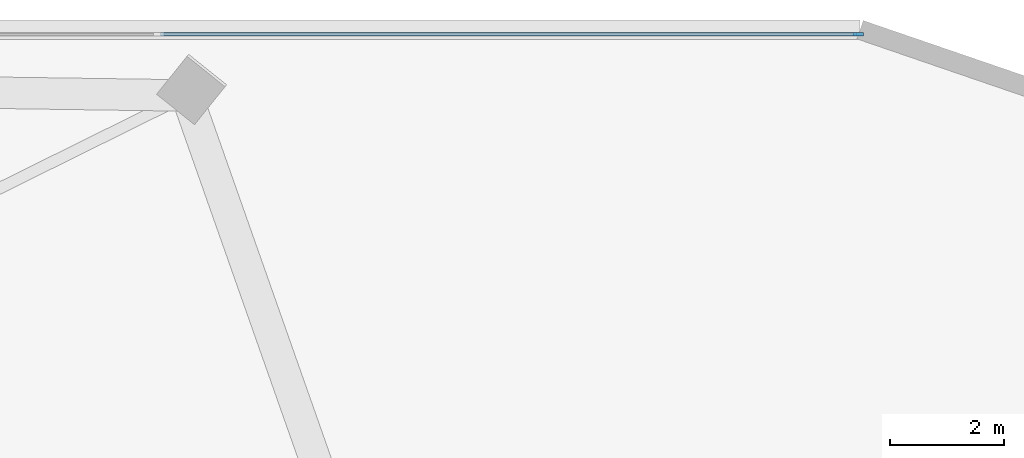
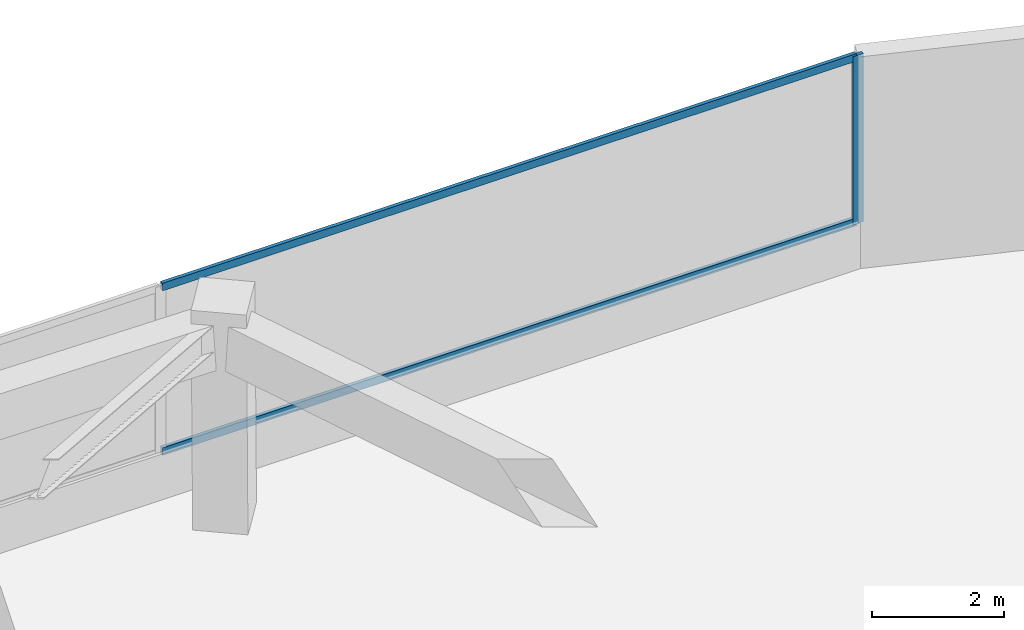
# One storey, part 9 of 14: 3 members, 1 element without a shape of its own.
"""IFC4 building model written with IfcOpenShell, lengths in metres."""

from ifc_helpers import new_model, si_unit, direction, frame, origin, origin_2d, place, context, subcontext, project, spatial, rectangle, extrude, material, layer, layer_set, material_profile, profile_set, type_object, element, aggregate, save


model = new_model("IFC4")

# Units and contexts
model_context = context("Model", 3, precision=1e-05, world=origin(), true_north=direction((0.0, 1.0)))
body_context = subcontext(model_context, "Body", "Model", "MODEL_VIEW")
ifc_project = project(units=[si_unit("LENGTHUNIT", "METRE"), si_unit("AREAUNIT", "SQUARE_METRE"), si_unit("VOLUMEUNIT", "CUBIC_METRE"), si_unit("PLANEANGLEUNIT", "RADIAN"), si_unit("MASSUNIT", "GRAM", prefix="KILO")], contexts=[model_context])

# Site, building, storey
site_placement = place(None, origin())
site = spatial("IfcSite", under=ifc_project, at=site_placement, CompositionType="ELEMENT")
building_placement = place(site_placement, origin())
building = spatial("IfcBuilding", under=site, at=building_placement, Name="Talyreon Biosciences Tower", CompositionType="ELEMENT")
storey_placement = place(building_placement, frame((0.0, 0.0, 123.0)))
storey = spatial("IfcBuildingStorey", under=building, at=storey_placement, Name="L32", CompositionType="ELEMENT", Elevation=123.0)

# Curtain wall, members
ifc_material_1 = material(Name="Thermally broken aluminium and low-E glazing", Category="aluminium")
ifc_layer = layer(ifc_material_1, 0.18994140625)
ifc_layer_set = layer_set([ifc_layer], Name="Thermally broken aluminium and low-E glazing")
curtain_wall_type = type_object("IfcCurtainWallType", Name="CurtainWall_Zone2Genomics", PredefinedType="NOTDEFINED", material=ifc_layer_set)
curtain_wall_placement = place(storey_placement, origin())
curtain_wall = element("IfcCurtainWall", 1, at=curtain_wall_placement, inside=storey, type_object=curtain_wall_type, Name="L32 Unitised Curtain Wall FCW-L32-04", PredefinedType="NOTDEFINED")
ifc_material_2 = material(Name="Anodised thermally broken aluminium", Category="aluminium")
ifc_material_profile_1 = material_profile(ifc_material_2, rectangle(XDim=0.06494140625, YDim=0.179931640625, at=origin_2d()), Name="ALUM MULLION 65x180")
ifc_profile_set_1 = profile_set([ifc_material_profile_1], Name="Anodised thermally broken aluminium")
member_type_1 = type_object("IfcMemberType", Name="CWMullion_65x180", PredefinedType="MULLION", material=ifc_profile_set_1)
member_1_placement = place(storey_placement, frame((90.490478515625, 89.173095703125, 0.81005859375), z_axis=(0.0, 0.0, 1.0), x_axis=(0.0, 1.0, 0.0)))
member_1 = element("IfcMember", 2, at=member_1_placement, type_object=member_type_1, Name="CW3 mullion 5", PredefinedType="MULLION", context=body_context, shape_type="SweptSolid", body=[
    extrude(rectangle(XDim=0.06494140625, YDim=0.179931640625, at=origin_2d()), origin(), (0.0, 0.0, 1.0), 3.114990234375),
])
ifc_material_profile_2 = material_profile(ifc_material_2, rectangle(XDim=0.06494140625, YDim=0.139892578125, at=origin_2d()), Name="ALUM TRANSOM 65x140")
ifc_profile_set_2 = profile_set([ifc_material_profile_2], Name="Anodised thermally broken aluminium")
member_type_2 = type_object("IfcMemberType", Name="CWTransom_65x140", PredefinedType="USERDEFINED", material=ifc_profile_set_2)
member_2_placement = place(storey_placement, frame((78.2939453125, 89.173095703125, 0.842529296875), z_axis=(1.0, 0.0, 0.0), x_axis=(0.0, 1.0, 0.0)))
member_2 = element("IfcMember", 3, at=member_2_placement, type_object=member_type_2, Name="CW3 transom 4.1", ObjectType="TRANSOM", PredefinedType="USERDEFINED", context=body_context, shape_type="SweptSolid", body=[
    extrude(rectangle(XDim=0.06494140625, YDim=0.139892578125, at=origin_2d()), origin(), (0.0, 0.0, 1.0), 12.1640625),
])
member_3_placement = place(storey_placement, frame((78.2939453125, 89.173095703125, 3.892578125), z_axis=(1.0, 0.0, 0.0), x_axis=(0.0, 1.0, 0.0)))
member_3 = element("IfcMember", 4, at=member_3_placement, type_object=member_type_2, Name="CW3 transom 4.2", ObjectType="TRANSOM", PredefinedType="USERDEFINED", context=body_context, shape_type="SweptSolid", body=[
    extrude(rectangle(XDim=0.06494140625, YDim=0.139892578125, at=origin_2d()), origin(), (0.0, 0.0, 1.0), 12.1640625),
])
aggregate(curtain_wall, [member_1, member_2, member_3])

save(model, "model.ifc")
